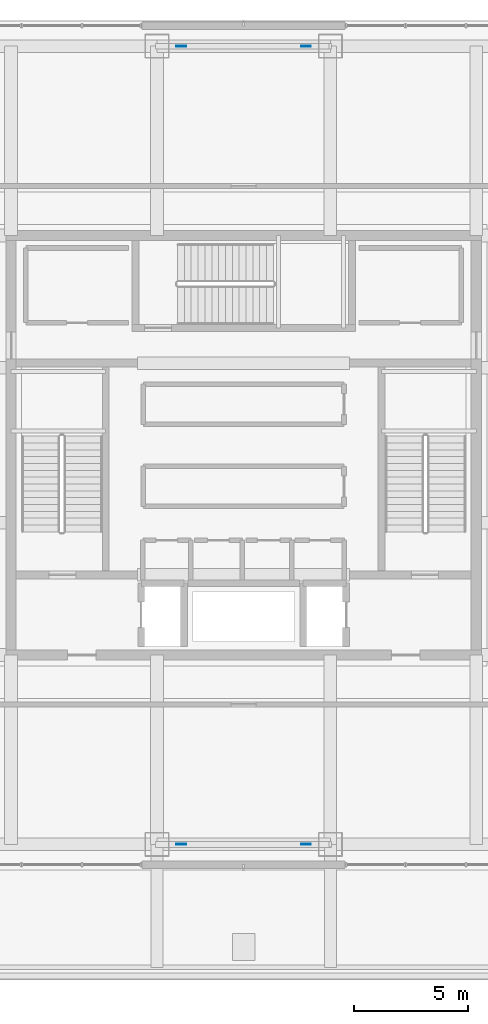
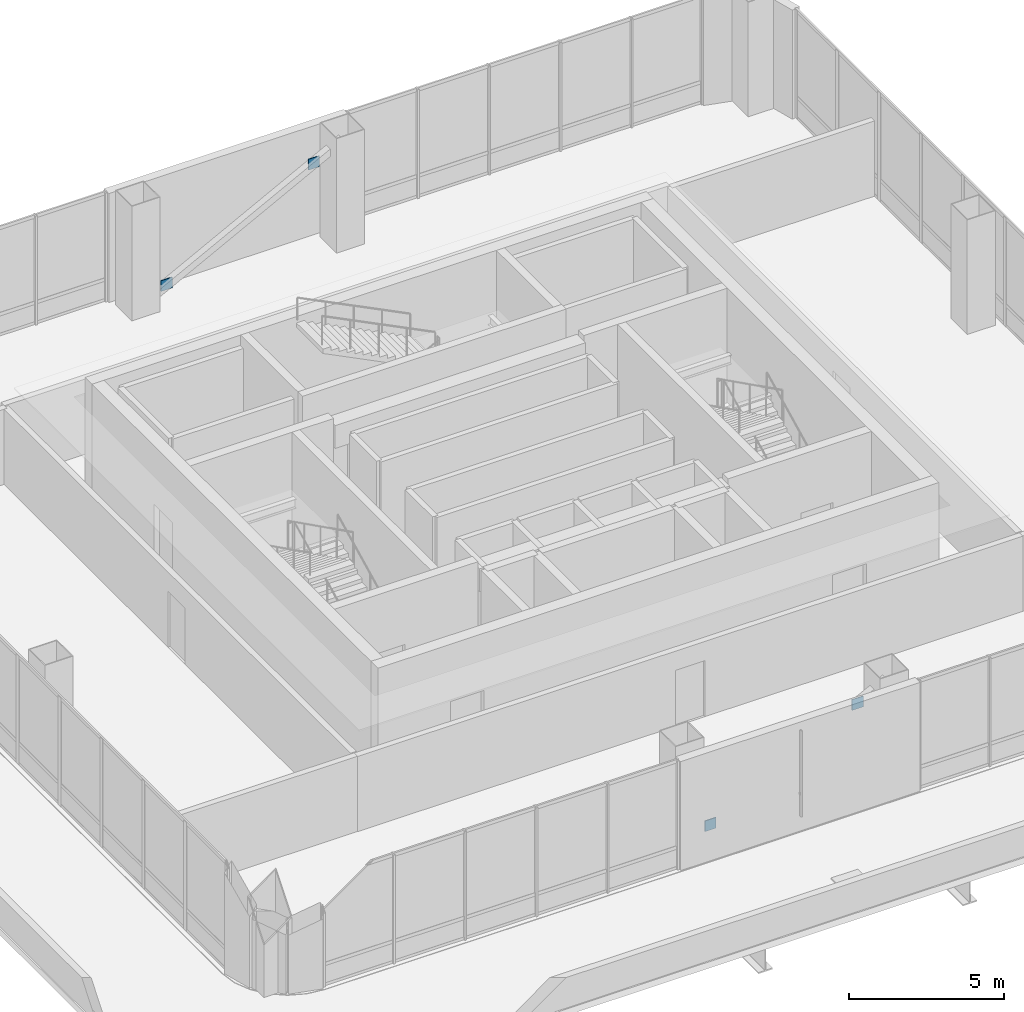
# One storey, part 27 of 33: 4 plates.
"""IFC4 building model written with IfcOpenShell, lengths in metres."""

import ifcopenshell
import ifcopenshell.guid

model = None  # the IFC model being written
_history = None  # IfcOwnerHistory: only IFC2X3 demands one
_inside = {}  # id of a spatial element -> (the spatial element, [elements in it])
_under = {}  # id of a project, library or spatial element -> (it, [spatial elements below it])
_declared = {}  # id of a project -> (the project, [libraries it declares])
_typed = {}  # id of a type object -> (the type object, [elements of that type])
_made_of = {}  # id of a material, layer set ... -> (it, [elements and type objects made of it])


def new_model(schema):
    """Start an empty IFC model of exactly this schema.

    Asked for "IFC4X3", IfcOpenShell would pick the latest addendum, in which some entities
    have other attributes; the version numbers below select the first issue.
    IFC2X3 requires an IfcOwnerHistory on every rooted entity: one is made here for all.
    """
    global model, _history
    if schema == "IFC4X3":
        model = ifcopenshell.file(schema_version=(4, 3, 0, 0))
    else:
        model = ifcopenshell.file(schema=schema)
    _inside.clear()
    _under.clear()
    _declared.clear()
    _typed.clear()
    _made_of.clear()
    _history = None
    if model.schema == "IFC2X3":
        org = make("IfcOrganization", Name="unknown")
        user = make(
            "IfcPersonAndOrganization",
            ThePerson=make("IfcPerson", FamilyName="unknown"),
            TheOrganization=org,
        )
        app = make(
            "IfcApplication",
            ApplicationDeveloper=org,
            Version="unknown",
            ApplicationFullName="unknown",
            ApplicationIdentifier="unknown",
        )
        _history = make(
            "IfcOwnerHistory",
            OwningUser=user,
            OwningApplication=app,
            ChangeAction="ADDED",
            CreationDate=0,
        )
    return model


def make(cls, **values):
    """One entity of the class cls with the attributes given. An attribute that is None is left unset."""
    return model.create_entity(
        cls, **{name: value for name, value in values.items() if value is not None}
    )


def rooted(cls, **values):
    """An entity with a GlobalId (a new one), such as an element, a storey or a relation."""
    return make(cls, GlobalId=ifcopenshell.guid.new(), OwnerHistory=_history, **values)


def si_unit(unit_type, name, prefix=None):
    """IfcSIUnit, for example si_unit("LENGTHUNIT", "METRE", prefix="MILLI")."""
    return make("IfcSIUnit", UnitType=unit_type, Prefix=prefix, Name=name)


def assignment(units):
    """IfcUnitAssignment: the units of a project."""
    return None if units is None else make("IfcUnitAssignment", Units=units)


def point(xyz):
    """IfcCartesianPoint."""
    return None if xyz is None else make("IfcCartesianPoint", Coordinates=xyz)


def direction(xyz):
    """IfcDirection."""
    return None if xyz is None else make("IfcDirection", DirectionRatios=xyz)


def frame(location, z_axis=None, x_axis=None):
    """IfcAxis2Placement3D, a coordinate frame: its origin and axes. An axis left out is left unset."""
    return make(
        "IfcAxis2Placement3D",
        Location=point(location),
        Axis=direction(z_axis),
        RefDirection=direction(x_axis),
    )


def frame_2d(location, x_axis=None):
    """IfcAxis2Placement2D, a coordinate frame in the plane: its origin and x axis."""
    return make(
        "IfcAxis2Placement2D", Location=point(location), RefDirection=direction(x_axis)
    )


def origin():
    """The frame at (0, 0, 0) with its axes left unset."""
    return frame((0.0, 0.0, 0.0))


def origin_2d():
    """The frame at (0, 0) in the plane with its x axis left unset."""
    return frame_2d((0.0, 0.0))


def place(relative_to, where):
    """IfcLocalPlacement: puts the frame where relative to a parent placement (None: the world)."""
    return make(
        "IfcLocalPlacement", PlacementRelTo=relative_to, RelativePlacement=where
    )


def context(
    kind, dimensions, precision=None, world=None, true_north=None, identifier=None
):
    """IfcGeometricRepresentationContext, for example the 3D "Model" context."""
    return make(
        "IfcGeometricRepresentationContext",
        ContextIdentifier=identifier,
        ContextType=kind,
        CoordinateSpaceDimension=dimensions,
        Precision=precision,
        WorldCoordinateSystem=world,
        TrueNorth=true_north,
    )


def subcontext(parent, identifier, kind, view, scale=None):
    """IfcGeometricRepresentationSubContext, for example "Body" below "Model"."""
    return make(
        "IfcGeometricRepresentationSubContext",
        ContextIdentifier=identifier,
        ContextType=kind,
        ParentContext=parent,
        TargetScale=scale,
        TargetView=view,
    )


def project(units=None, contexts=None):
    """IfcProject with its units and contexts."""
    return rooted(
        "IfcProject",
        Name="project",
        RepresentationContexts=contexts,
        UnitsInContext=assignment(units),
    )


def spatial(cls, under=None, at=None, **own):
    """A site, building, storey or space (cls), placed at a placement, below another one or the project."""
    s = rooted(cls, ObjectPlacement=at, **own)
    if under is not None:
        _under.setdefault(under.id(), (under, []))[1].append(s)
    return s


def profile(cls, at=None, kind="AREA", **sizes):
    """A parametric profile (cls). Its sizes go by their IFC names, for example OverallWidth=200.0."""
    return make(cls, ProfileType=kind, Position=at, **sizes)


def rectangle(**sizes):
    """IfcRectangleProfileDef."""
    return profile("IfcRectangleProfileDef", **sizes)


def extrude(swept, where, along, depth):
    """IfcExtrudedAreaSolid: the profile swept, set in the frame where, extruded along a direction by depth."""
    return make(
        "IfcExtrudedAreaSolid",
        SweptArea=swept,
        Position=where,
        ExtrudedDirection=direction(along),
        Depth=depth,
    )


def shape(context_of_items, identifier, shape_type, items):
    """IfcShapeRepresentation: the items that make up one representation, for example the "Body"."""
    return make(
        "IfcShapeRepresentation",
        ContextOfItems=context_of_items,
        RepresentationIdentifier=identifier,
        RepresentationType=shape_type,
        Items=items,
    )


def material(Name=None, Category=None):
    """IfcMaterial."""
    return make("IfcMaterial", Name=Name, Category=Category)


def layer(
    of_material, thickness, ventilated=None, Name=None, Category=None, Priority=None
):
    """IfcMaterialLayer: one layer of a wall or slab, of a material (None: an air gap)."""
    return make(
        "IfcMaterialLayer",
        Material=of_material,
        LayerThickness=thickness,
        IsVentilated=ventilated,
        Name=Name,
        Category=Category,
        Priority=Priority,
    )


def layer_set(layers, Name=None):
    """IfcMaterialLayerSet."""
    return make("IfcMaterialLayerSet", MaterialLayers=layers, LayerSetName=Name)


def made_of(thing, what):
    """Note that an element or type object is made of a material, layer set ...; save() writes the relation."""
    if what is not None:
        _made_of.setdefault(what.id(), (what, []))[1].append(thing)
    return thing


def type_object(cls, material=None, **own):
    """A type object (cls), such as IfcWallType, which elements share."""
    return made_of(rooted(cls, **own), material)


def element(
    cls,
    number,
    at=None,
    inside=None,
    cuts=None,
    type_object=None,
    material=None,
    context=None,
    identifier="Body",
    shape_type=None,
    held_by="IfcProductDefinitionShape",
    body=None,
    shapes=None,
    **own,
):
    """One element of the class cls, such as IfcWall. Its Tag is "e" and its number.

    at: its placement. inside: the storey or other place that contains it. cuts: it is an
    opening in that element (IfcRelVoidsElement). A single representation is given by context,
    identifier, shape_type and body (its items); several are given by shapes. held_by: the class
    of the entity that holds the representations. save() writes the other relations.
    """
    e = rooted(cls, Tag="e%d" % number, ObjectPlacement=at, **own)
    if body is not None:
        shapes = [shape(context, identifier, shape_type, body)]
    if shapes is not None:
        e.Representation = make(held_by, Representations=shapes)
    if inside is not None:
        _inside.setdefault(inside.id(), (inside, []))[1].append(e)
    if cuts is not None:
        rooted(
            "IfcRelVoidsElement", RelatingBuildingElement=cuts, RelatedOpeningElement=e
        )
    if type_object is not None:
        _typed.setdefault(type_object.id(), (type_object, []))[1].append(e)
    return made_of(e, material)


def aggregate(whole, parts):
    """IfcRelAggregates: a whole, such as a stair, and the parts it consists of."""
    return rooted("IfcRelAggregates", RelatingObject=whole, RelatedObjects=parts)


def save(model, path):
    """Write the relations noted so far, then the file.

    IfcRelAggregates (storeys below a building ...), IfcRelContainedInSpatialStructure (elements
    in a storey), IfcRelDefinesByType, IfcRelAssociatesMaterial and IfcRelDeclares: one each for
    every whole, place, type object, material and project.
    """
    for whole, parts in _under.values():
        aggregate(whole, parts)
    for where, things in _inside.values():
        rooted(
            "IfcRelContainedInSpatialStructure",
            RelatedElements=things,
            RelatingStructure=where,
        )
    for kind, things in _typed.values():
        rooted("IfcRelDefinesByType", RelatedObjects=things, RelatingType=kind)
    for what, things in _made_of.values():
        rooted("IfcRelAssociatesMaterial", RelatedObjects=things, RelatingMaterial=what)
    for by, libraries in _declared.values():
        rooted("IfcRelDeclares", RelatingContext=by, RelatedDefinitions=libraries)
    model.write(path)


model = new_model("IFC4")

# Units and contexts
model_context = context("Model", 3, precision=1e-05, world=origin(), true_north=direction((0.0, 1.0)))
body_context = subcontext(model_context, "Body", "Model", "MODEL_VIEW")
ifc_project = project(units=[si_unit("LENGTHUNIT", "METRE"), si_unit("AREAUNIT", "SQUARE_METRE"), si_unit("VOLUMEUNIT", "CUBIC_METRE"), si_unit("PLANEANGLEUNIT", "RADIAN"), si_unit("MASSUNIT", "GRAM", prefix="KILO")], contexts=[model_context])

# Site, building, storey
site_placement = place(None, origin())
site = spatial("IfcSite", under=ifc_project, at=site_placement, CompositionType="ELEMENT")
building_placement = place(site_placement, origin())
building = spatial("IfcBuilding", under=site, at=building_placement, Name="Punatoya Terracotta Tower", CompositionType="ELEMENT")
storey_placement = place(building_placement, frame((0.0, 0.0, 343.800048828125)))
storey = spatial("IfcBuildingStorey", under=building, at=storey_placement, Name="L81", CompositionType="ELEMENT", Elevation=343.800048828125)

# Plates
ifc_material = material(Name="Steel S460", Category="steel")
ifc_layer = layer(ifc_material, 0.031982421875)
ifc_layer_set = layer_set([ifc_layer], Name="Steel S460")
plate_type = type_object("IfcPlateType", Name="PLT-END-32", PredefinedType="USERDEFINED", material=ifc_layer_set)
for number, where, z_axis, x_axis, name in (
    (1, (-2.736083984375, -17.5, 0.364501953125), (0.0, 0.0, 1.0), (1.0, 0.0, 0.0), "L81 Crown Brace S End Plate 1"),
    (2, (2.736083984375, -17.5, 3.215576171875), (0.0, 0.0, 1.0), (1.0, 0.0, 0.0), "L81 Crown Brace S End Plate 2"),
    (3, (-2.736083984375, 17.5, 0.364501953125), (0.0, 0.0, 1.0), (1.0, 0.0, 0.0), "L81 Crown Brace N End Plate 1"),
    (4, (2.736083984375, 17.5, 3.215576171875), (0.0, 0.0, 1.0), (1.0, 0.0, 0.0), "L81 Crown Brace N End Plate 2"),
):
    element("IfcPlate", number, at=place(storey_placement, frame(where, z_axis=z_axis, x_axis=x_axis)), inside=storey, type_object=plate_type, Name=name, ObjectType="FLANGE_PLATE", PredefinedType="USERDEFINED", context=body_context, shape_type="SweptSolid", body=[
        extrude(rectangle(XDim=0.419921875, YDim=0.031982421875, at=origin_2d()), origin(), (0.0, 0.0, 1.0), 0.419921875),
    ])

save(model, "model.ifc")
